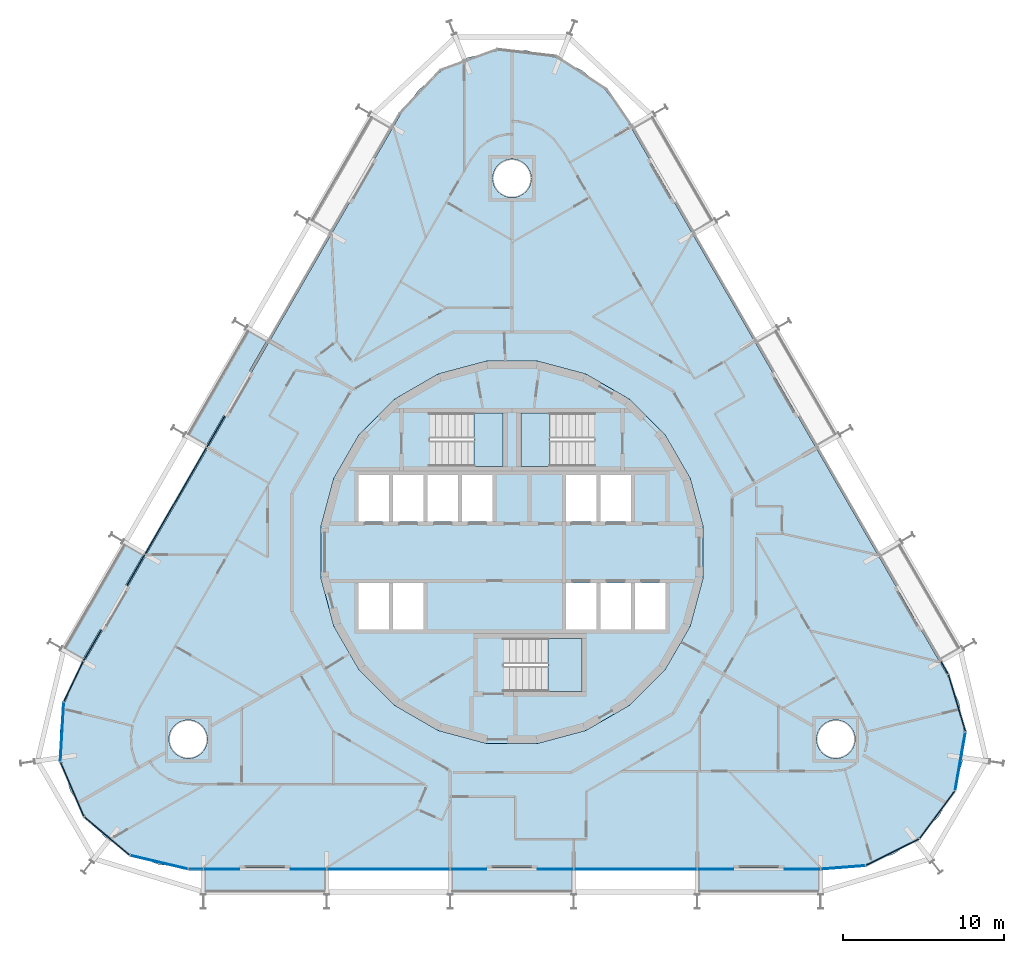
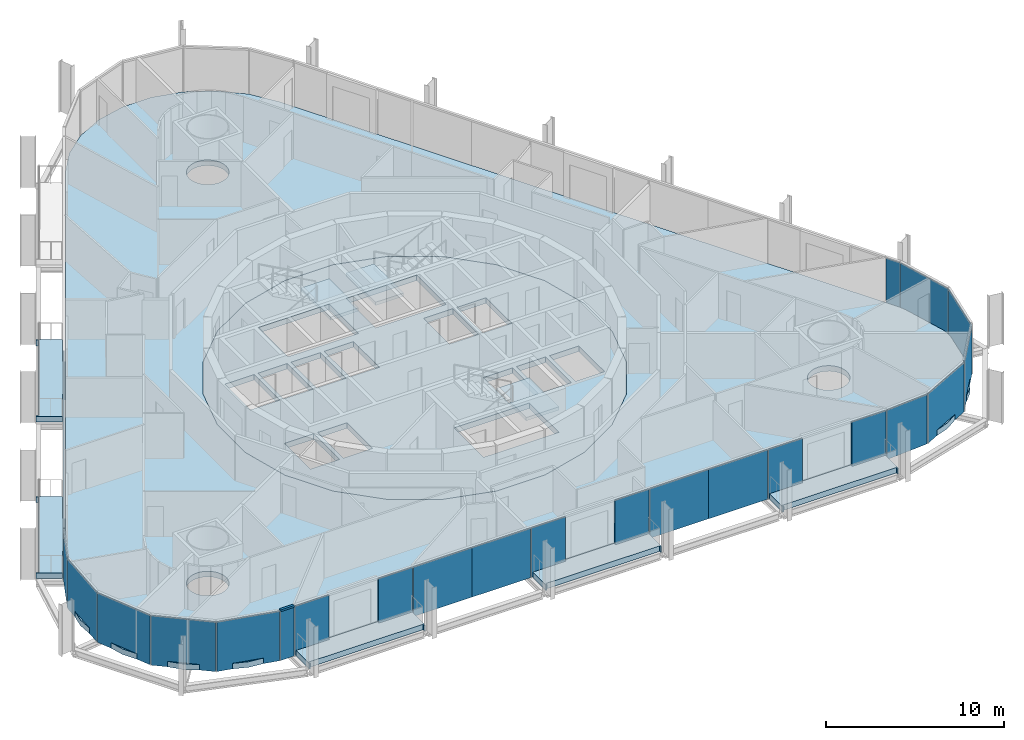
# One storey, part 11 of 21: 27 plates, 10 slabs, 1 member, 7 elements without a shape of their own.
"""IFC4 building model written with IfcOpenShell, lengths in metres."""

import ifcopenshell
import ifcopenshell.guid

model = None  # the IFC model being written
_history = None  # IfcOwnerHistory: only IFC2X3 demands one
_inside = {}  # id of a spatial element -> (the spatial element, [elements in it])
_under = {}  # id of a project, library or spatial element -> (it, [spatial elements below it])
_declared = {}  # id of a project -> (the project, [libraries it declares])
_typed = {}  # id of a type object -> (the type object, [elements of that type])
_made_of = {}  # id of a material, layer set ... -> (it, [elements and type objects made of it])


def new_model(schema):
    """Start an empty IFC model of exactly this schema.

    Asked for "IFC4X3", IfcOpenShell would pick the latest addendum, in which some entities
    have other attributes; the version numbers below select the first issue.
    IFC2X3 requires an IfcOwnerHistory on every rooted entity: one is made here for all.
    """
    global model, _history
    if schema == "IFC4X3":
        model = ifcopenshell.file(schema_version=(4, 3, 0, 0))
    else:
        model = ifcopenshell.file(schema=schema)
    _inside.clear()
    _under.clear()
    _declared.clear()
    _typed.clear()
    _made_of.clear()
    _history = None
    if model.schema == "IFC2X3":
        org = make("IfcOrganization", Name="unknown")
        user = make(
            "IfcPersonAndOrganization",
            ThePerson=make("IfcPerson", FamilyName="unknown"),
            TheOrganization=org,
        )
        app = make(
            "IfcApplication",
            ApplicationDeveloper=org,
            Version="unknown",
            ApplicationFullName="unknown",
            ApplicationIdentifier="unknown",
        )
        _history = make(
            "IfcOwnerHistory",
            OwningUser=user,
            OwningApplication=app,
            ChangeAction="ADDED",
            CreationDate=0,
        )
    return model


def make(cls, **values):
    """One entity of the class cls with the attributes given. An attribute that is None is left unset."""
    return model.create_entity(
        cls, **{name: value for name, value in values.items() if value is not None}
    )


def rooted(cls, **values):
    """An entity with a GlobalId (a new one), such as an element, a storey or a relation."""
    return make(cls, GlobalId=ifcopenshell.guid.new(), OwnerHistory=_history, **values)


def si_unit(unit_type, name, prefix=None):
    """IfcSIUnit, for example si_unit("LENGTHUNIT", "METRE", prefix="MILLI")."""
    return make("IfcSIUnit", UnitType=unit_type, Prefix=prefix, Name=name)


def assignment(units):
    """IfcUnitAssignment: the units of a project."""
    return None if units is None else make("IfcUnitAssignment", Units=units)


def point(xyz):
    """IfcCartesianPoint."""
    return None if xyz is None else make("IfcCartesianPoint", Coordinates=xyz)


def direction(xyz):
    """IfcDirection."""
    return None if xyz is None else make("IfcDirection", DirectionRatios=xyz)


def frame(location, z_axis=None, x_axis=None):
    """IfcAxis2Placement3D, a coordinate frame: its origin and axes. An axis left out is left unset."""
    return make(
        "IfcAxis2Placement3D",
        Location=point(location),
        Axis=direction(z_axis),
        RefDirection=direction(x_axis),
    )


def frame_2d(location, x_axis=None):
    """IfcAxis2Placement2D, a coordinate frame in the plane: its origin and x axis."""
    return make(
        "IfcAxis2Placement2D", Location=point(location), RefDirection=direction(x_axis)
    )


def origin():
    """The frame at (0, 0, 0) with its axes left unset."""
    return frame((0.0, 0.0, 0.0))


def origin_2d():
    """The frame at (0, 0) in the plane with its x axis left unset."""
    return frame_2d((0.0, 0.0))


def place(relative_to, where):
    """IfcLocalPlacement: puts the frame where relative to a parent placement (None: the world)."""
    return make(
        "IfcLocalPlacement", PlacementRelTo=relative_to, RelativePlacement=where
    )


def context(
    kind, dimensions, precision=None, world=None, true_north=None, identifier=None
):
    """IfcGeometricRepresentationContext, for example the 3D "Model" context."""
    return make(
        "IfcGeometricRepresentationContext",
        ContextIdentifier=identifier,
        ContextType=kind,
        CoordinateSpaceDimension=dimensions,
        Precision=precision,
        WorldCoordinateSystem=world,
        TrueNorth=true_north,
    )


def subcontext(parent, identifier, kind, view, scale=None):
    """IfcGeometricRepresentationSubContext, for example "Body" below "Model"."""
    return make(
        "IfcGeometricRepresentationSubContext",
        ContextIdentifier=identifier,
        ContextType=kind,
        ParentContext=parent,
        TargetScale=scale,
        TargetView=view,
    )


def project(units=None, contexts=None):
    """IfcProject with its units and contexts."""
    return rooted(
        "IfcProject",
        Name="project",
        RepresentationContexts=contexts,
        UnitsInContext=assignment(units),
    )


def spatial(cls, under=None, at=None, **own):
    """A site, building, storey or space (cls), placed at a placement, below another one or the project."""
    s = rooted(cls, ObjectPlacement=at, **own)
    if under is not None:
        _under.setdefault(under.id(), (under, []))[1].append(s)
    return s


def polyline(points):
    """IfcPolyline through the points."""
    return make("IfcPolyline", Points=[point(p) for p in points])


def profile(cls, at=None, kind="AREA", **sizes):
    """A parametric profile (cls). Its sizes go by their IFC names, for example OverallWidth=200.0."""
    return make(cls, ProfileType=kind, Position=at, **sizes)


def rectangle(**sizes):
    """IfcRectangleProfileDef."""
    return profile("IfcRectangleProfileDef", **sizes)


def outline(outer, holes=None, kind="AREA"):
    """IfcArbitraryClosedProfileDef: a profile drawn as a closed curve; with holes, ...WithVoids."""
    if holes is None:
        return make("IfcArbitraryClosedProfileDef", ProfileType=kind, OuterCurve=outer)
    return make(
        "IfcArbitraryProfileDefWithVoids",
        ProfileType=kind,
        OuterCurve=outer,
        InnerCurves=holes,
    )


def extrude(swept, where, along, depth):
    """IfcExtrudedAreaSolid: the profile swept, set in the frame where, extruded along a direction by depth."""
    return make(
        "IfcExtrudedAreaSolid",
        SweptArea=swept,
        Position=where,
        ExtrudedDirection=direction(along),
        Depth=depth,
    )


def shape(context_of_items, identifier, shape_type, items):
    """IfcShapeRepresentation: the items that make up one representation, for example the "Body"."""
    return make(
        "IfcShapeRepresentation",
        ContextOfItems=context_of_items,
        RepresentationIdentifier=identifier,
        RepresentationType=shape_type,
        Items=items,
    )


def material(Name=None, Category=None):
    """IfcMaterial."""
    return make("IfcMaterial", Name=Name, Category=Category)


def layer(
    of_material, thickness, ventilated=None, Name=None, Category=None, Priority=None
):
    """IfcMaterialLayer: one layer of a wall or slab, of a material (None: an air gap)."""
    return make(
        "IfcMaterialLayer",
        Material=of_material,
        LayerThickness=thickness,
        IsVentilated=ventilated,
        Name=Name,
        Category=Category,
        Priority=Priority,
    )


def layer_set(layers, Name=None):
    """IfcMaterialLayerSet."""
    return make("IfcMaterialLayerSet", MaterialLayers=layers, LayerSetName=Name)


def material_profile(
    of_material, cross_section, Name=None, Category=None, Priority=None
):
    """IfcMaterialProfile: a cross section and its material."""
    return make(
        "IfcMaterialProfile",
        Name=Name,
        Material=of_material,
        Profile=cross_section,
        Priority=Priority,
        Category=Category,
    )


def profile_set(profiles, Name=None, composite=None):
    """IfcMaterialProfileSet."""
    return make(
        "IfcMaterialProfileSet",
        Name=Name,
        MaterialProfiles=profiles,
        CompositeProfile=composite,
    )


def made_of(thing, what):
    """Note that an element or type object is made of a material, layer set ...; save() writes the relation."""
    if what is not None:
        _made_of.setdefault(what.id(), (what, []))[1].append(thing)
    return thing


def type_object(cls, material=None, **own):
    """A type object (cls), such as IfcWallType, which elements share."""
    return made_of(rooted(cls, **own), material)


def element(
    cls,
    number,
    at=None,
    inside=None,
    cuts=None,
    type_object=None,
    material=None,
    context=None,
    identifier="Body",
    shape_type=None,
    held_by="IfcProductDefinitionShape",
    body=None,
    shapes=None,
    **own,
):
    """One element of the class cls, such as IfcWall. Its Tag is "e" and its number.

    at: its placement. inside: the storey or other place that contains it. cuts: it is an
    opening in that element (IfcRelVoidsElement). A single representation is given by context,
    identifier, shape_type and body (its items); several are given by shapes. held_by: the class
    of the entity that holds the representations. save() writes the other relations.
    """
    e = rooted(cls, Tag="e%d" % number, ObjectPlacement=at, **own)
    if body is not None:
        shapes = [shape(context, identifier, shape_type, body)]
    if shapes is not None:
        e.Representation = make(held_by, Representations=shapes)
    if inside is not None:
        _inside.setdefault(inside.id(), (inside, []))[1].append(e)
    if cuts is not None:
        rooted(
            "IfcRelVoidsElement", RelatingBuildingElement=cuts, RelatedOpeningElement=e
        )
    if type_object is not None:
        _typed.setdefault(type_object.id(), (type_object, []))[1].append(e)
    return made_of(e, material)


def aggregate(whole, parts):
    """IfcRelAggregates: a whole, such as a stair, and the parts it consists of."""
    return rooted("IfcRelAggregates", RelatingObject=whole, RelatedObjects=parts)


def save(model, path):
    """Write the relations noted so far, then the file.

    IfcRelAggregates (storeys below a building ...), IfcRelContainedInSpatialStructure (elements
    in a storey), IfcRelDefinesByType, IfcRelAssociatesMaterial and IfcRelDeclares: one each for
    every whole, place, type object, material and project.
    """
    for whole, parts in _under.values():
        aggregate(whole, parts)
    for where, things in _inside.values():
        rooted(
            "IfcRelContainedInSpatialStructure",
            RelatedElements=things,
            RelatingStructure=where,
        )
    for kind, things in _typed.values():
        rooted("IfcRelDefinesByType", RelatedObjects=things, RelatingType=kind)
    for what, things in _made_of.values():
        rooted("IfcRelAssociatesMaterial", RelatedObjects=things, RelatingMaterial=what)
    for by, libraries in _declared.values():
        rooted("IfcRelDeclares", RelatingContext=by, RelatedDefinitions=libraries)
    model.write(path)


model = new_model("IFC4")

# Units and contexts
model_context = context("Model", 3, precision=1e-05, world=origin(), true_north=direction((0.0, 1.0)))
body_context = subcontext(model_context, "Body", "Model", "MODEL_VIEW")
ifc_project = project(units=[si_unit("LENGTHUNIT", "METRE"), si_unit("AREAUNIT", "SQUARE_METRE"), si_unit("VOLUMEUNIT", "CUBIC_METRE"), si_unit("PLANEANGLEUNIT", "RADIAN"), si_unit("MASSUNIT", "GRAM", prefix="KILO")], contexts=[model_context])

# Site, building, storey
site_placement = place(None, origin())
site = spatial("IfcSite", under=ifc_project, at=site_placement, CompositionType="ELEMENT")
building_placement = place(site_placement, origin())
building = spatial("IfcBuilding", under=site, at=building_placement, Name="Spindle Arch Residences", CompositionType="ELEMENT")
storey_placement = place(building_placement, frame((0.0, 0.0, 48.89990234375)))
storey = spatial("IfcBuildingStorey", under=building, at=storey_placement, Name="L10", CompositionType="ELEMENT", Elevation=48.89990234375)

# Curtain wall, member
ifc_material_1 = material(Name="Aluminium bronze unitised frame with tinted glass", Category="aluminium")
ifc_layer_1 = layer(ifc_material_1, 0.159912109375)
ifc_layer_set_1 = layer_set([ifc_layer_1], Name="CW-D corner wall on the fillet arcs")
curtain_wall_type_1 = type_object("IfcCurtainWallType", Name="CW-D corner wall on the fillet arcs", PredefinedType="NOTDEFINED", material=ifc_layer_set_1)
curtain_wall_1_placement = place(storey_placement, origin())
curtain_wall_1 = element("IfcCurtainWall", 1, at=curtain_wall_1_placement, inside=storey, type_object=curtain_wall_type_1, Name="CW-D L10 run 5", PredefinedType="NOTDEFINED")
ifc_material_2 = material(Name="Aluminium bronze anodised transom", Category="aluminium")
ifc_material_profile = material_profile(ifc_material_2, rectangle(XDim=0.159912109375, YDim=0.1201171875, at=origin_2d()), Name="TR 120x160")
ifc_profile_set = profile_set([ifc_material_profile], Name="Aluminium bronze anodised transom")
member_type = type_object("IfcMemberType", Name="Bronze transom 120x160", PredefinedType="USERDEFINED", material=ifc_profile_set)
member_placement = place(storey_placement, frame((-20.113525390625, -19.7099609375, 3.06005859375), z_axis=(1.0, 0.0, 0.0), x_axis=(0.0, 1.0, 0.0)))
member = element("IfcMember", 2, at=member_placement, type_object=member_type, Name="CW-D transom 05", ObjectType="TRANSOM", PredefinedType="USERDEFINED", context=body_context, shape_type="SweptSolid", body=[
    extrude(rectangle(XDim=0.159912109375, YDim=0.1201171875, at=origin_2d()), origin(), (0.0, 0.0, 1.0), 0.88330078125),
])

# Slabs
ifc_material_3 = material(Name="Concrete C40/50", Category="concrete")
ifc_layer_2 = layer(ifc_material_3, 0.3798828125)
ifc_layer_set_2 = layer_set([ifc_layer_2], Name="Balcony slab 380")
slab_type_1 = type_object("IfcSlabType", Name="Balcony slab 380", PredefinedType="FLOOR", material=ifc_layer_set_2)
slab_1_placement = place(storey_placement, frame((0.0, 0.0, -0.3798828125)))
element("IfcSlab", 3, at=slab_1_placement, inside=storey, type_object=slab_type_1, Name="Balcony L10 bay 2", PredefinedType="FLOOR", context=body_context, shape_type="SweptSolid", body=[
    extrude(outline(polyline([(11.59521484375, -21.280029296875), (11.670166015625, -21.280029296875), (11.670166015625, -21.1298828125), (19.05029296875, -21.1298828125), (19.05029296875, -21.280029296875), (19.125244140625, -21.280029296875), (19.125244140625, -19.789794921875), (16.960205078125, -19.789794921875), (16.960205078125, -19.6298828125), (13.76025390625, -19.6298828125), (13.76025390625, -19.789794921875), (11.59521484375, -19.789794921875), (11.59521484375, -21.280029296875)])), origin(), (0.0, 0.0, 1.0), 0.3798828125),
])
slab_2_placement = place(storey_placement, frame((0.0, 0.0, -0.3798828125)))
element("IfcSlab", 4, at=slab_2_placement, inside=storey, type_object=slab_type_1, Name="Balcony L10 bay 16", PredefinedType="FLOOR", context=body_context, shape_type="SweptSolid", body=[
    extrude(outline(polyline([(-16.54638671875, 13.900634765625), (-16.583984375, 13.835693359375), (-16.4541015625, 13.760498046875), (-20.14404296875, 7.369384765625), (-20.27392578125, 7.4443359375), (-20.3115234375, 7.37939453125), (-19.02099609375, 6.63427734375), (-17.9384765625, 8.50927734375), (-17.800048828125, 8.42919921875), (-16.199951171875, 11.20068359375), (-16.338623046875, 11.280517578125), (-15.256103515625, 13.155517578125), (-16.54638671875, 13.900634765625)])), origin(), (0.0, 0.0, 1.0), 0.3798828125),
])
slab_3_placement = place(storey_placement, frame((0.0, 0.0, -0.3798828125)))
element("IfcSlab", 5, at=slab_3_placement, inside=storey, type_object=slab_type_1, Name="Balcony L10 bay 18", PredefinedType="FLOOR", context=body_context, shape_type="SweptSolid", body=[
    extrude(outline(polyline([(-24.2265625, 0.598388671875), (-24.263916015625, 0.533447265625), (-24.134033203125, 0.458251953125), (-27.82421875, -5.93310546875), (-27.9541015625, -5.85791015625), (-27.991455078125, -5.9228515625), (-26.701171875, -6.66796875), (-25.61865234375, -4.79296875), (-25.47998046875, -4.873046875), (-23.880126953125, -2.1015625), (-24.0185546875, -2.021728515625), (-22.93603515625, -0.146728515625), (-24.2265625, 0.598388671875)])), origin(), (0.0, 0.0, 1.0), 0.3798828125),
])
slab_4_placement = place(storey_placement, frame((0.0, 0.0, -0.3798828125)))
element("IfcSlab", 6, at=slab_4_placement, inside=storey, type_object=slab_type_1, Name="Balcony L10 bay 22", PredefinedType="FLOOR", context=body_context, shape_type="SweptSolid", body=[
    extrude(outline(polyline([(-19.125244140625, -21.280029296875), (-19.05029296875, -21.280029296875), (-19.05029296875, -21.1298828125), (-11.670166015625, -21.1298828125), (-11.670166015625, -21.280029296875), (-11.59521484375, -21.280029296875), (-11.59521484375, -19.789794921875), (-13.76025390625, -19.789794921875), (-13.76025390625, -19.6298828125), (-16.960205078125, -19.6298828125), (-16.960205078125, -19.789794921875), (-19.125244140625, -19.789794921875), (-19.125244140625, -21.280029296875)])), origin(), (0.0, 0.0, 1.0), 0.3798828125),
])
slab_5_placement = place(storey_placement, frame((0.0, 0.0, -0.3798828125)))
element("IfcSlab", 7, at=slab_5_placement, inside=storey, type_object=slab_type_1, Name="Balcony L10 bay 24", PredefinedType="FLOOR", context=body_context, shape_type="SweptSolid", body=[
    extrude(outline(polyline([(-3.76513671875, -21.280029296875), (-3.68994140625, -21.280029296875), (-3.68994140625, -21.1298828125), (3.68994140625, -21.1298828125), (3.68994140625, -21.280029296875), (3.76513671875, -21.280029296875), (3.76513671875, -19.789794921875), (1.60009765625, -19.789794921875), (1.60009765625, -19.6298828125), (-1.60009765625, -19.6298828125), (-1.60009765625, -19.789794921875), (-3.76513671875, -19.789794921875), (-3.76513671875, -21.280029296875)])), origin(), (0.0, 0.0, 1.0), 0.3798828125),
])
ifc_material_4 = material(Name="Concrete C50/60", Category="concrete")
ifc_layer_3 = layer(ifc_material_4, 0.3798828125)
ifc_layer_set_3 = layer_set([ifc_layer_3], Name="Core floor slab 380")
slab_type_2 = type_object("IfcSlabType", Name="Core floor slab 380", PredefinedType="FLOOR", material=ifc_layer_set_3)
slab_6_placement = place(storey_placement, frame((0.0, 0.0, -0.3798828125)))
element("IfcSlab", 8, at=slab_6_placement, inside=storey, type_object=slab_type_2, Name="Core floor L10", PredefinedType="FLOOR", context=body_context, shape_type="SweptSolid", body=[
    extrude(outline(polyline([(1.56640625, -11.897216796875), (4.59228515625, -11.086669921875), (7.30517578125, -9.520263671875), (9.520263671875, -7.30517578125), (11.086669921875, -4.59228515625), (11.897216796875, -1.56640625), (11.897216796875, 1.56640625), (11.086669921875, 4.59228515625), (9.520263671875, 7.30517578125), (7.30517578125, 9.520263671875), (4.59228515625, 11.086669921875), (1.56640625, 11.897216796875), (-1.56640625, 11.897216796875), (-4.59228515625, 11.086669921875), (-7.30517578125, 9.520263671875), (-9.520263671875, 7.30517578125), (-11.086669921875, 4.59228515625), (-11.897216796875, 1.56640625), (-11.897216796875, -1.56640625), (-11.086669921875, -4.59228515625), (-9.520263671875, -7.30517578125), (-7.30517578125, -9.520263671875), (-4.59228515625, -11.086669921875), (-1.56640625, -11.897216796875), (1.56640625, -11.897216796875)]), holes=[polyline([(-9.550048828125, 1.89990234375), (-7.64990234375, 1.89990234375), (-7.64990234375, 4.800048828125), (-9.550048828125, 4.800048828125), (-9.550048828125, 1.89990234375)]), polyline([(-7.39990234375, 1.89990234375), (-5.5, 1.89990234375), (-5.5, 4.800048828125), (-7.39990234375, 4.800048828125), (-7.39990234375, 1.89990234375)]), polyline([(-5.25, 1.89990234375), (-3.35009765625, 1.89990234375), (-3.35009765625, 4.800048828125), (-5.25, 4.800048828125), (-5.25, 1.89990234375)]), polyline([(-3.10009765625, 1.89990234375), (-1.199951171875, 1.89990234375), (-1.199951171875, 4.800048828125), (-3.10009765625, 4.800048828125), (-3.10009765625, 1.89990234375)]), polyline([(3.35009765625, 1.89990234375), (5.25, 1.89990234375), (5.25, 4.800048828125), (3.35009765625, 4.800048828125), (3.35009765625, 1.89990234375)]), polyline([(5.5, 1.89990234375), (7.39990234375, 1.89990234375), (7.39990234375, 4.800048828125), (5.5, 4.800048828125), (5.5, 1.89990234375)]), polyline([(-9.550048828125, -4.800048828125), (-7.64990234375, -4.800048828125), (-7.64990234375, -1.89990234375), (-9.550048828125, -1.89990234375), (-9.550048828125, -4.800048828125)]), polyline([(-7.39990234375, -4.800048828125), (-5.5, -4.800048828125), (-5.5, -1.89990234375), (-7.39990234375, -1.89990234375), (-7.39990234375, -4.800048828125)]), polyline([(3.35009765625, -4.800048828125), (5.25, -4.800048828125), (5.25, -1.89990234375), (3.35009765625, -1.89990234375), (3.35009765625, -4.800048828125)]), polyline([(5.5, -4.800048828125), (7.39990234375, -4.800048828125), (7.39990234375, -1.89990234375), (5.5, -1.89990234375), (5.5, -4.800048828125)]), polyline([(7.64990234375, -4.800048828125), (9.550048828125, -4.800048828125), (9.550048828125, -1.89990234375), (7.64990234375, -1.89990234375), (7.64990234375, -4.800048828125)]), polyline([(5.1298828125, 8.669921875), (0.550048828125, 8.669921875), (0.550048828125, 5.35009765625), (5.1298828125, 5.35009765625), (5.1298828125, 8.669921875)]), polyline([(-5.1298828125, 5.35009765625), (-0.550048828125, 5.35009765625), (-0.550048828125, 8.669921875), (-5.1298828125, 8.669921875), (-5.1298828125, 5.35009765625)]), polyline([(-0.530029296875, -8.669921875), (4.35009765625, -8.669921875), (4.35009765625, -5.35009765625), (-0.530029296875, -5.35009765625), (-0.530029296875, -8.669921875)])]), origin(), (0.0, 0.0, 1.0), 0.3798828125),
])

# Stair, slab
ifc_material_5 = material(Name="Concrete C50/60", Category="concrete")
stair_type = type_object("IfcStairType", Name="Exit stair 16 risers", PredefinedType="HALF_TURN_STAIR", material=ifc_material_5)
stair_1_placement = place(storey_placement, origin())
stair_1 = element("IfcStair", 9, at=stair_1_placement, inside=storey, type_object=stair_type, Name="L10 Exit stair ST1", PredefinedType="HALF_TURN_STAIR")
ifc_material_6 = material(Name="Concrete C50/60", Category="concrete")
ifc_layer_4 = layer(ifc_material_6, 0.219970703125)
ifc_layer_set_4 = layer_set([ifc_layer_4], Name="Exit stair landing 220")
slab_type_3 = type_object("IfcSlabType", Name="Exit stair landing 220", PredefinedType="LANDING", material=ifc_layer_set_4)
slab_7_placement = place(storey_placement, frame((0.0, 0.0, 1.530029296875)))
slab_7 = element("IfcSlab", 10, at=slab_7_placement, type_object=slab_type_3, Name="ST1 landing 1", PredefinedType="LANDING", context=body_context, shape_type="SweptSolid", body=[
    extrude(outline(polyline([(2.3701171875, 8.669921875), (0.550048828125, 8.669921875), (0.550048828125, 5.35009765625), (2.3701171875, 5.35009765625), (2.3701171875, 8.669921875)])), origin(), (0.0, 0.0, 1.0), 0.219970703125),
])
aggregate(stair_1, [slab_7])

stair_2_placement = place(storey_placement, origin())
stair_2 = element("IfcStair", 11, at=stair_2_placement, inside=storey, type_object=stair_type, Name="L10 Exit stair ST2", PredefinedType="HALF_TURN_STAIR")
slab_8_placement = place(storey_placement, frame((0.0, 0.0, 1.530029296875)))
slab_8 = element("IfcSlab", 12, at=slab_8_placement, type_object=slab_type_3, Name="ST2 landing 1", PredefinedType="LANDING", context=body_context, shape_type="SweptSolid", body=[
    extrude(outline(polyline([(-2.3701171875, 5.35009765625), (-0.550048828125, 5.35009765625), (-0.550048828125, 8.669921875), (-2.3701171875, 8.669921875), (-2.3701171875, 5.35009765625)])), origin(), (0.0, 0.0, 1.0), 0.219970703125),
])
aggregate(stair_2, [slab_8])

stair_3_placement = place(storey_placement, origin())
stair_3 = element("IfcStair", 13, at=stair_3_placement, inside=storey, type_object=stair_type, Name="L10 Exit stair ST3", PredefinedType="HALF_TURN_STAIR")
slab_9_placement = place(storey_placement, frame((0.0, 0.0, 1.530029296875)))
slab_9 = element("IfcSlab", 14, at=slab_9_placement, type_object=slab_type_3, Name="ST3 landing 1", PredefinedType="LANDING", context=body_context, shape_type="SweptSolid", body=[
    extrude(outline(polyline([(2.22998046875, -8.669921875), (4.35009765625, -8.669921875), (4.35009765625, -5.35009765625), (2.22998046875, -5.35009765625), (2.22998046875, -8.669921875)])), origin(), (0.0, 0.0, 1.0), 0.219970703125),
])
aggregate(stair_3, [slab_9])

# Slab
ifc_material_7 = material(Name="Concrete C40/50", Category="concrete")
ifc_layer_5 = layer(ifc_material_7, 0.3798828125)
ifc_layer_set_5 = layer_set([ifc_layer_5], Name="Floor slab 380")
slab_type_4 = type_object("IfcSlabType", Name="Floor slab 380", PredefinedType="FLOOR", material=ifc_layer_set_5)
slab_10_placement = place(storey_placement, frame((0.0, 0.0, -0.3798828125)))
element("IfcSlab", 15, at=slab_10_placement, inside=storey, type_object=slab_type_4, Name="Floor slab L10", PredefinedType="FLOOR", context=body_context, shape_type="SweptSolid", body=[
    extrude(outline(polyline([(-21.988525390625, -19.414306640625), (-23.73388671875, -18.779052734375), (-25.285888671875, -17.75830078125), (-26.560546875, -16.4072265625), (-27.4892578125, -14.798583984375), (-28.022216796875, -13.01904296875), (-28.130126953125, -11.164794921875), (-27.8076171875, -9.33544921875), (-27.07177734375, -7.6298828125), (-6.92822265625, 27.259765625), (-5.819091796875, 28.749755859375), (-4.39599609375, 29.943603515625), (-2.736083984375, 30.77734375), (-0.9287109375, 31.205810546875), (0.9287109375, 31.205810546875), (2.736083984375, 30.77734375), (4.39599609375, 29.943603515625), (5.819091796875, 28.749755859375), (6.92822265625, 27.259765625), (27.07177734375, -7.6298828125), (27.8076171875, -9.33544921875), (28.130126953125, -11.164794921875), (28.022216796875, -13.01904296875), (27.4892578125, -14.798583984375), (26.560546875, -16.4072265625), (25.285888671875, -17.75830078125), (23.73388671875, -18.779052734375), (21.988525390625, -19.414306640625), (20.1435546875, -19.6298828125), (0.0, -19.6298828125), (-20.1435546875, -19.6298828125), (-21.988525390625, -19.414306640625)]), holes=[polyline([(7.30517578125, -9.520263671875), (9.520263671875, -7.30517578125), (11.086669921875, -4.59228515625), (11.897216796875, -1.56640625), (11.897216796875, 1.56640625), (11.086669921875, 4.59228515625), (9.520263671875, 7.30517578125), (7.30517578125, 9.520263671875), (4.59228515625, 11.086669921875), (1.56640625, 11.897216796875), (-1.56640625, 11.897216796875), (-4.59228515625, 11.086669921875), (-7.30517578125, 9.520263671875), (-9.520263671875, 7.30517578125), (-11.086669921875, 4.59228515625), (-11.897216796875, 1.56640625), (-11.897216796875, -1.56640625), (-11.086669921875, -4.59228515625), (-9.520263671875, -7.30517578125), (-7.30517578125, -9.520263671875), (-4.59228515625, -11.086669921875), (-1.56640625, -11.897216796875), (1.56640625, -11.897216796875), (4.59228515625, -11.086669921875), (7.30517578125, -9.520263671875)]), polyline([(-19.295166015625, -12.478515625), (-19.145751953125, -12.296630859375), (-19.034912109375, -12.089111328125), (-18.966796875, -11.864013671875), (-18.943603515625, -11.6298828125), (-18.966796875, -11.395751953125), (-19.034912109375, -11.170654296875), (-19.145751953125, -10.963134765625), (-19.295166015625, -10.781494140625), (-19.476806640625, -10.632080078125), (-19.684326171875, -10.521240234375), (-19.909423828125, -10.452880859375), (-20.1435546875, -10.429931640625), (-20.377685546875, -10.452880859375), (-20.602783203125, -10.521240234375), (-20.810302734375, -10.632080078125), (-20.9921875, -10.781494140625), (-21.141357421875, -10.963134765625), (-21.252197265625, -11.170654296875), (-21.320556640625, -11.395751953125), (-21.343505859375, -11.6298828125), (-21.320556640625, -11.864013671875), (-21.252197265625, -12.089111328125), (-21.141357421875, -12.296630859375), (-20.9921875, -12.478515625), (-20.810302734375, -12.627685546875), (-20.602783203125, -12.738525390625), (-20.377685546875, -12.806884765625), (-20.1435546875, -12.829833984375), (-19.909423828125, -12.806884765625), (-19.684326171875, -12.738525390625), (-19.476806640625, -12.627685546875), (-19.295166015625, -12.478515625)]), polyline([(0.848388671875, 22.411376953125), (0.997802734375, 22.593017578125), (1.108642578125, 22.800537109375), (1.177001953125, 23.025634765625), (1.199951171875, 23.259765625), (1.177001953125, 23.493896484375), (1.108642578125, 23.718994140625), (0.997802734375, 23.926513671875), (0.848388671875, 24.1083984375), (0.666748046875, 24.257568359375), (0.459228515625, 24.368408203125), (0.234130859375, 24.436767578125), (0.0, 24.459716796875), (-0.234130859375, 24.436767578125), (-0.459228515625, 24.368408203125), (-0.666748046875, 24.257568359375), (-0.848388671875, 24.1083984375), (-0.997802734375, 23.926513671875), (-1.108642578125, 23.718994140625), (-1.177001953125, 23.493896484375), (-1.199951171875, 23.259765625), (-1.177001953125, 23.025634765625), (-1.108642578125, 22.800537109375), (-0.997802734375, 22.593017578125), (-0.848388671875, 22.411376953125), (-0.666748046875, 22.261962890625), (-0.459228515625, 22.151123046875), (-0.234130859375, 22.0830078125), (0.0, 22.059814453125), (0.234130859375, 22.0830078125), (0.459228515625, 22.151123046875), (0.666748046875, 22.261962890625), (0.848388671875, 22.411376953125)]), polyline([(20.9921875, -12.478515625), (21.141357421875, -12.296630859375), (21.252197265625, -12.089111328125), (21.320556640625, -11.864013671875), (21.343505859375, -11.6298828125), (21.320556640625, -11.395751953125), (21.252197265625, -11.170654296875), (21.141357421875, -10.963134765625), (20.9921875, -10.781494140625), (20.810302734375, -10.632080078125), (20.602783203125, -10.521240234375), (20.377685546875, -10.452880859375), (20.1435546875, -10.429931640625), (19.909423828125, -10.452880859375), (19.684326171875, -10.521240234375), (19.476806640625, -10.632080078125), (19.295166015625, -10.781494140625), (19.145751953125, -10.963134765625), (19.034912109375, -11.170654296875), (18.966796875, -11.395751953125), (18.943603515625, -11.6298828125), (18.966796875, -11.864013671875), (19.034912109375, -12.089111328125), (19.145751953125, -12.296630859375), (19.295166015625, -12.478515625), (19.476806640625, -12.627685546875), (19.684326171875, -12.738525390625), (19.909423828125, -12.806884765625), (20.1435546875, -12.829833984375), (20.377685546875, -12.806884765625), (20.602783203125, -12.738525390625), (20.810302734375, -12.627685546875), (20.9921875, -12.478515625)])]), origin(), (0.0, 0.0, 1.0), 0.3798828125),
])

# Curtain wall, plates
curtain_wall_2_placement = place(storey_placement, origin())
curtain_wall_2 = element("IfcCurtainWall", 16, at=curtain_wall_2_placement, inside=storey, type_object=curtain_wall_type_1, Name="CW-D L10 run 1", PredefinedType="NOTDEFINED")
ifc_material_8 = material(Name="Tinted double glazing over aluminium faced non-combustible spandrel zone (K0)", Category="aluminium")
ifc_layer_6 = layer(ifc_material_8, 0.06005859375)
ifc_layer_set_6 = layer_set([ifc_layer_6], Name="Unitised glass panel with E 60 spandrel zone")
plate_type = type_object("IfcPlateType", Name="Unitised glass panel with E 60 spandrel zone", PredefinedType="CURTAIN_PANEL", material=ifc_layer_set_6)
plate_1_placement = place(storey_placement, frame((20.603515625, -19.60107421875, -0.3798828125), z_axis=(0.0, 0.0, 1.0), x_axis=(0.997002907861, 0.077364085451, 0.0)))
plate_1 = element("IfcPlate", 17, at=plate_1_placement, type_object=plate_type, Name="CW-D unit 00", PredefinedType="CURTAIN_PANEL", context=body_context, shape_type="SweptSolid", body=[
    extrude(rectangle(XDim=2.755126953125, YDim=0.06005859375, at=origin_2d()), origin(), (0.0, 0.0, 1.0), 3.3798828125),
])
plate_2_placement = place(storey_placement, frame((23.672119140625, -18.65576171875, -0.3798828125), z_axis=(0.0, 0.0, 1.0), x_axis=(0.893632642326, 0.448799176213, 0.0)))
plate_2 = element("IfcPlate", 18, at=plate_2_placement, type_object=plate_type, Name="CW-D unit 01", PredefinedType="CURTAIN_PANEL", context=body_context, shape_type="SweptSolid", body=[
    extrude(rectangle(XDim=3.666748046875, YDim=0.06005859375, at=origin_2d()), origin(), (0.0, 0.0, 1.0), 3.3798828125),
])
plate_3_placement = place(storey_placement, frame((26.449951171875, -16.324951171875, -0.3798828125), z_axis=(0.0, 0.0, 1.0), x_axis=(0.597158595823, 0.802123189687, 0.0)))
plate_3 = element("IfcPlate", 19, at=plate_3_placement, type_object=plate_type, Name="CW-D unit 02", PredefinedType="CURTAIN_PANEL", context=body_context, shape_type="SweptSolid", body=[
    extrude(rectangle(XDim=3.666748046875, YDim=0.06005859375, at=origin_2d()), origin(), (0.0, 0.0, 1.0), 3.3798828125),
])
plate_4_placement = place(storey_placement, frame((27.88623046875, -12.9951171875, -0.3798828125), z_axis=(0.0, 0.0, 1.0), x_axis=(0.173648181019, 0.984807752421, 0.0)))
plate_4 = element("IfcPlate", 20, at=plate_4_placement, type_object=plate_type, Name="CW-D unit 03", PredefinedType="CURTAIN_PANEL", context=body_context, shape_type="SweptSolid", body=[
    extrude(rectangle(XDim=3.666748046875, YDim=0.06005859375, at=origin_2d()), origin(), (0.0, 0.0, 1.0), 3.3798828125),
])
plate_5_placement = place(storey_placement, frame((27.675537109375, -9.375, -0.3798828125), z_axis=(0.0, 0.0, 1.0), x_axis=(-0.28680323051, 0.957989512975, 0.0)))
plate_5 = element("IfcPlate", 21, at=plate_5_placement, type_object=plate_type, Name="CW-D unit 04", PredefinedType="CURTAIN_PANEL", context=body_context, shape_type="SweptSolid", body=[
    extrude(rectangle(XDim=3.666748046875, YDim=0.06005859375, at=origin_2d()), origin(), (0.0, 0.0, 1.0), 3.3798828125),
])
plate_6_placement = place(storey_placement, frame((26.9052734375, -7.181396484375, -0.3798828125), z_axis=(0.0, 0.0, 1.0), x_axis=(-0.5, 0.866025403784, 0.0)))
plate_6 = element("IfcPlate", 22, at=plate_6_placement, type_object=plate_type, Name="CW-D unit 05", PredefinedType="CURTAIN_PANEL", context=body_context, shape_type="SweptSolid", body=[
    extrude(rectangle(XDim=0.88330078125, YDim=0.06005859375, at=origin_2d()), origin(), (0.0, 0.0, 1.0), 3.3798828125),
])
aggregate(curtain_wall_2, [plate_1, plate_2, plate_3, plate_4, plate_5, plate_6])

ifc_material_9 = material(Name="Aluminium bronze unitised frame with tinted glass", Category="aluminium")
ifc_layer_7 = layer(ifc_material_9, 0.159912109375)
ifc_layer_set_7 = layer_set([ifc_layer_7], Name="CW-C typical residential unitised wall")
curtain_wall_type_2 = type_object("IfcCurtainWallType", Name="CW-C typical residential unitised wall", PredefinedType="NOTDEFINED", material=ifc_layer_set_7)
curtain_wall_3_placement = place(storey_placement, origin())
curtain_wall_3 = element("IfcCurtainWall", 23, at=curtain_wall_3_placement, inside=storey, type_object=curtain_wall_type_2, Name="CW-C L10 run 4", PredefinedType="NOTDEFINED")
plate_7_placement = place(storey_placement, frame((-18.421875, 7.512451171875, -0.3798828125), z_axis=(0.0, 0.0, 1.0), x_axis=(-0.5, -0.866025403784, 0.0)))
plate_7 = element("IfcPlate", 24, at=plate_7_placement, type_object=plate_type, Name="CW-C unit 15R", PredefinedType="CURTAIN_PANEL", context=body_context, shape_type="SweptSolid", body=[
    extrude(rectangle(XDim=2.2099609375, YDim=0.06005859375, at=origin_2d()), origin(), (0.0, 0.0, 1.0), 3.3798828125),
])
plate_8_placement = place(storey_placement, frame((-19.956787109375, 4.853515625, -0.3798828125), z_axis=(0.0, 0.0, 1.0), x_axis=(-0.5, -0.866025403784, 0.0)))
plate_8 = element("IfcPlate", 25, at=plate_8_placement, type_object=plate_type, Name="CW-C unit 16A", PredefinedType="CURTAIN_PANEL", context=body_context, shape_type="SweptSolid", body=[
    extrude(rectangle(XDim=3.81005859375, YDim=0.06005859375, at=origin_2d()), origin(), (0.0, 0.0, 1.0), 3.3798828125),
])
plate_9_placement = place(storey_placement, frame((-21.86181640625, 1.553955078125, -0.3798828125), z_axis=(0.0, 0.0, 1.0), x_axis=(-0.5, -0.866025403784, 0.0)))
plate_9 = element("IfcPlate", 26, at=plate_9_placement, type_object=plate_type, Name="CW-C unit 16B", PredefinedType="CURTAIN_PANEL", context=body_context, shape_type="SweptSolid", body=[
    extrude(rectangle(XDim=3.81005859375, YDim=0.06005859375, at=origin_2d()), origin(), (0.0, 0.0, 1.0), 3.3798828125),
])
plate_10_placement = place(storey_placement, frame((-23.396728515625, -1.104736328125, -0.3798828125), z_axis=(0.0, 0.0, 1.0), x_axis=(-0.5, -0.866025403784, 0.0)))
plate_10 = element("IfcPlate", 27, at=plate_10_placement, type_object=plate_type, Name="CW-C unit 17L", PredefinedType="CURTAIN_PANEL", context=body_context, shape_type="SweptSolid", body=[
    extrude(rectangle(XDim=2.2099609375, YDim=0.06005859375, at=origin_2d()), origin(), (0.0, 0.0, 1.0), 3.3798828125),
])
plate_11_placement = place(storey_placement, frame((-26.101806640625, -5.7900390625, -0.3798828125), z_axis=(0.0, 0.0, 1.0), x_axis=(-0.5, -0.866025403784, 0.0)))
plate_11 = element("IfcPlate", 28, at=plate_11_placement, type_object=plate_type, Name="CW-C unit 17R", PredefinedType="CURTAIN_PANEL", context=body_context, shape_type="SweptSolid", body=[
    extrude(rectangle(XDim=2.2099609375, YDim=0.06005859375, at=origin_2d()), origin(), (0.0, 0.0, 1.0), 3.3798828125),
])
aggregate(curtain_wall_3, [plate_7, plate_8, plate_9, plate_10, plate_11])

# Plate
plate_12_placement = place(storey_placement, frame((-27.27685546875, -8.042724609375, -0.3798828125), z_axis=(0.0, 0.0, 1.0), x_axis=(-0.431502189519, -0.902111889092, 0.0)))
plate_12 = element("IfcPlate", 29, at=plate_12_placement, type_object=plate_type, Name="CW-D unit 00", PredefinedType="CURTAIN_PANEL", context=body_context, shape_type="SweptSolid", body=[
    extrude(rectangle(XDim=2.755126953125, YDim=0.06005859375, at=origin_2d()), origin(), (0.0, 0.0, 1.0), 3.3798828125),
])

plate_13_placement = place(storey_placement, frame((-27.992431640625, -11.1728515625, -0.3798828125), z_axis=(0.0, 0.0, 1.0), x_axis=(-0.058144829968, -0.99830815821, 0.0)))
plate_13 = element("IfcPlate", 30, at=plate_13_placement, type_object=plate_type, Name="CW-D unit 01", PredefinedType="CURTAIN_PANEL", context=body_context, shape_type="SweptSolid", body=[
    extrude(rectangle(XDim=3.666748046875, YDim=0.06005859375, at=origin_2d()), origin(), (0.0, 0.0, 1.0), 3.3798828125),
])

plate_14_placement = place(storey_placement, frame((-27.36279296875, -14.743896484375, -0.3798828125), z_axis=(0.0, 0.0, 1.0), x_axis=(0.396079766691, -0.918216106599, 0.0)))
plate_14 = element("IfcPlate", 31, at=plate_14_placement, type_object=plate_type, Name="CW-D unit 02", PredefinedType="CURTAIN_PANEL", context=body_context, shape_type="SweptSolid", body=[
    extrude(rectangle(XDim=3.666748046875, YDim=0.06005859375, at=origin_2d()), origin(), (0.0, 0.0, 1.0), 3.3798828125),
])

plate_15_placement = place(storey_placement, frame((-25.197265625, -17.652587890625, -0.3798828125), z_axis=(0.0, 0.0, 1.0), x_axis=(0.766044445239, -0.64278760716, 0.0)))
plate_15 = element("IfcPlate", 32, at=plate_15_placement, type_object=plate_type, Name="CW-D unit 03", PredefinedType="CURTAIN_PANEL", context=body_context, shape_type="SweptSolid", body=[
    extrude(rectangle(XDim=3.666748046875, YDim=0.06005859375, at=origin_2d()), origin(), (0.0, 0.0, 1.0), 3.3798828125),
])

plate_16_placement = place(storey_placement, frame((-21.956787109375, -19.2802734375, -0.3798828125), z_axis=(0.0, 0.0, 1.0), x_axis=(0.973044871028, -0.230615868852, 0.0)))
plate_16 = element("IfcPlate", 33, at=plate_16_placement, type_object=plate_type, Name="CW-D unit 04", PredefinedType="CURTAIN_PANEL", context=body_context, shape_type="SweptSolid", body=[
    extrude(rectangle(XDim=3.666748046875, YDim=0.06005859375, at=origin_2d()), origin(), (0.0, 0.0, 1.0), 3.3798828125),
])

plate_17_placement = place(storey_placement, frame((-19.671875, -19.7099609375, -0.3798828125), z_axis=(0.0, 0.0, 1.0), x_axis=(1.0, 0.0, 0.0)))
plate_17 = element("IfcPlate", 34, at=plate_17_placement, type_object=plate_type, Name="CW-D unit 05", PredefinedType="CURTAIN_PANEL", context=body_context, shape_type="SweptSolid", body=[
    extrude(rectangle(XDim=0.88330078125, YDim=0.06005859375, at=origin_2d()), origin(), (0.0, 0.0, 1.0), 3.3798828125),
])

aggregate(curtain_wall_1, [plate_12, plate_13, plate_14, plate_15, plate_16, member, plate_17])

# Curtain wall, plates
curtain_wall_4_placement = place(storey_placement, origin())
curtain_wall_4 = element("IfcCurtainWall", 35, at=curtain_wall_4_placement, inside=storey, type_object=curtain_wall_type_2, Name="CW-C L10 run 6", PredefinedType="NOTDEFINED")
plate_18_placement = place(storey_placement, frame((-18.065185546875, -19.7099609375, -0.3798828125), z_axis=(0.0, 0.0, 1.0), x_axis=(1.0, 0.0, 0.0)))
plate_18 = element("IfcPlate", 36, at=plate_18_placement, type_object=plate_type, Name="CW-C unit 21L", PredefinedType="CURTAIN_PANEL", context=body_context, shape_type="SweptSolid", body=[
    extrude(rectangle(XDim=2.2099609375, YDim=0.06005859375, at=origin_2d()), origin(), (0.0, 0.0, 1.0), 3.3798828125),
])
plate_19_placement = place(storey_placement, frame((-12.655029296875, -19.7099609375, -0.3798828125), z_axis=(0.0, 0.0, 1.0), x_axis=(1.0, 0.0, 0.0)))
plate_19 = element("IfcPlate", 37, at=plate_19_placement, type_object=plate_type, Name="CW-C unit 21R", PredefinedType="CURTAIN_PANEL", context=body_context, shape_type="SweptSolid", body=[
    extrude(rectangle(XDim=2.2099609375, YDim=0.06005859375, at=origin_2d()), origin(), (0.0, 0.0, 1.0), 3.3798828125),
])
plate_20_placement = place(storey_placement, frame((-9.585205078125, -19.7099609375, -0.3798828125), z_axis=(0.0, 0.0, 1.0), x_axis=(1.0, 0.0, 0.0)))
plate_20 = element("IfcPlate", 38, at=plate_20_placement, type_object=plate_type, Name="CW-C unit 22A", PredefinedType="CURTAIN_PANEL", context=body_context, shape_type="SweptSolid", body=[
    extrude(rectangle(XDim=3.81005859375, YDim=0.06005859375, at=origin_2d()), origin(), (0.0, 0.0, 1.0), 3.3798828125),
])
plate_21_placement = place(storey_placement, frame((-5.775146484375, -19.7099609375, -0.3798828125), z_axis=(0.0, 0.0, 1.0), x_axis=(1.0, 0.0, 0.0)))
plate_21 = element("IfcPlate", 39, at=plate_21_placement, type_object=plate_type, Name="CW-C unit 22B", PredefinedType="CURTAIN_PANEL", context=body_context, shape_type="SweptSolid", body=[
    extrude(rectangle(XDim=3.81005859375, YDim=0.06005859375, at=origin_2d()), origin(), (0.0, 0.0, 1.0), 3.3798828125),
])
plate_22_placement = place(storey_placement, frame((-2.705078125, -19.7099609375, -0.3798828125), z_axis=(0.0, 0.0, 1.0), x_axis=(1.0, 0.0, 0.0)))
plate_22 = element("IfcPlate", 40, at=plate_22_placement, type_object=plate_type, Name="CW-C unit 23L", PredefinedType="CURTAIN_PANEL", context=body_context, shape_type="SweptSolid", body=[
    extrude(rectangle(XDim=2.2099609375, YDim=0.06005859375, at=origin_2d()), origin(), (0.0, 0.0, 1.0), 3.3798828125),
])
plate_23_placement = place(storey_placement, frame((2.705078125, -19.7099609375, -0.3798828125), z_axis=(0.0, 0.0, 1.0), x_axis=(1.0, 0.0, 0.0)))
plate_23 = element("IfcPlate", 41, at=plate_23_placement, type_object=plate_type, Name="CW-C unit 23R", PredefinedType="CURTAIN_PANEL", context=body_context, shape_type="SweptSolid", body=[
    extrude(rectangle(XDim=2.2099609375, YDim=0.06005859375, at=origin_2d()), origin(), (0.0, 0.0, 1.0), 3.3798828125),
])
plate_24_placement = place(storey_placement, frame((5.775146484375, -19.7099609375, -0.3798828125), z_axis=(0.0, 0.0, 1.0), x_axis=(1.0, 0.0, 0.0)))
plate_24 = element("IfcPlate", 42, at=plate_24_placement, type_object=plate_type, Name="CW-C unit 00A", PredefinedType="CURTAIN_PANEL", context=body_context, shape_type="SweptSolid", body=[
    extrude(rectangle(XDim=3.81005859375, YDim=0.06005859375, at=origin_2d()), origin(), (0.0, 0.0, 1.0), 3.3798828125),
])
plate_25_placement = place(storey_placement, frame((9.585205078125, -19.7099609375, -0.3798828125), z_axis=(0.0, 0.0, 1.0), x_axis=(1.0, 0.0, 0.0)))
plate_25 = element("IfcPlate", 43, at=plate_25_placement, type_object=plate_type, Name="CW-C unit 00B", PredefinedType="CURTAIN_PANEL", context=body_context, shape_type="SweptSolid", body=[
    extrude(rectangle(XDim=3.81005859375, YDim=0.06005859375, at=origin_2d()), origin(), (0.0, 0.0, 1.0), 3.3798828125),
])
plate_26_placement = place(storey_placement, frame((12.655029296875, -19.7099609375, -0.3798828125), z_axis=(0.0, 0.0, 1.0), x_axis=(1.0, 0.0, 0.0)))
plate_26 = element("IfcPlate", 44, at=plate_26_placement, type_object=plate_type, Name="CW-C unit 01L", PredefinedType="CURTAIN_PANEL", context=body_context, shape_type="SweptSolid", body=[
    extrude(rectangle(XDim=2.2099609375, YDim=0.06005859375, at=origin_2d()), origin(), (0.0, 0.0, 1.0), 3.3798828125),
])
plate_27_placement = place(storey_placement, frame((18.065185546875, -19.7099609375, -0.3798828125), z_axis=(0.0, 0.0, 1.0), x_axis=(1.0, 0.0, 0.0)))
plate_27 = element("IfcPlate", 45, at=plate_27_placement, type_object=plate_type, Name="CW-C unit 01R", PredefinedType="CURTAIN_PANEL", context=body_context, shape_type="SweptSolid", body=[
    extrude(rectangle(XDim=2.2099609375, YDim=0.06005859375, at=origin_2d()), origin(), (0.0, 0.0, 1.0), 3.3798828125),
])
aggregate(curtain_wall_4, [plate_18, plate_19, plate_20, plate_21, plate_22, plate_23, plate_24, plate_25, plate_26, plate_27])

save(model, "model.ifc")
